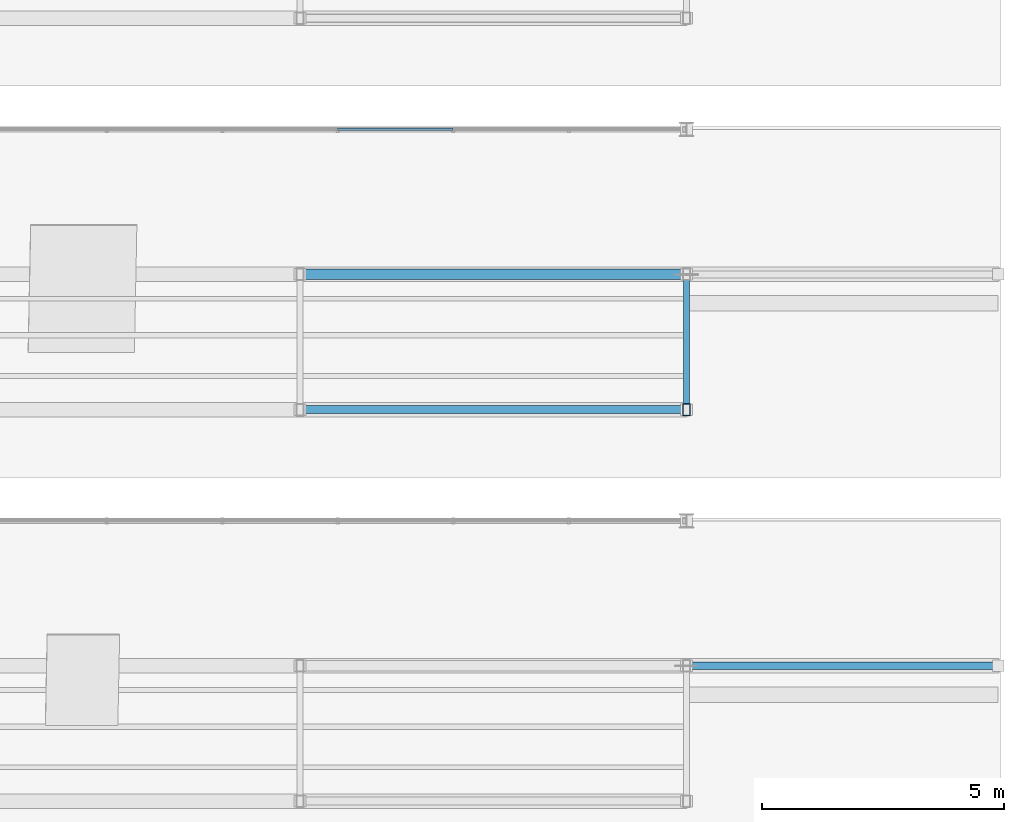
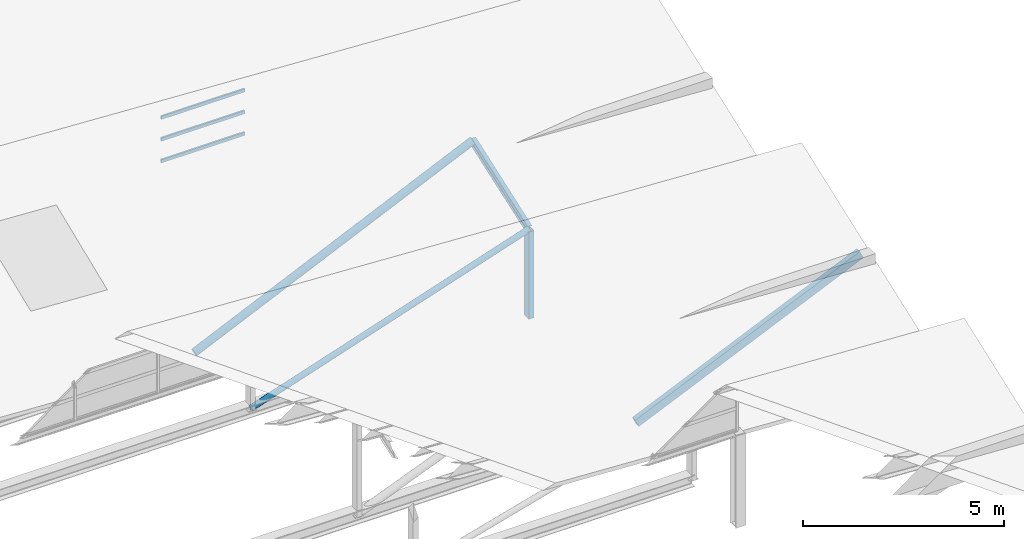
# One storey, part 69 of 141: 8 members, 1 element without a shape of its own.
"""IFC4 building model written with IfcOpenShell, lengths in metres."""

from ifc_helpers import new_model, si_unit, direction, frame, origin, origin_2d, place, context, subcontext, project, spatial, hollow_rectangle, hollow_circle, i_section, extrude, material, material_profile, profile_set, type_object, element, aggregate, save


model = new_model("IFC4")

# Units and contexts
model_context = context("Model", 3, precision=1e-05, world=origin(), true_north=direction((0.0, 1.0)))
body_context = subcontext(model_context, "Body", "Model", "MODEL_VIEW")
ifc_project = project(units=[si_unit("LENGTHUNIT", "METRE"), si_unit("AREAUNIT", "SQUARE_METRE"), si_unit("VOLUMEUNIT", "CUBIC_METRE"), si_unit("PLANEANGLEUNIT", "RADIAN"), si_unit("MASSUNIT", "GRAM", prefix="KILO")], contexts=[model_context])

# Site, building, storey
site_placement = place(None, origin())
site = spatial("IfcSite", under=ifc_project, at=site_placement, CompositionType="ELEMENT")
building_placement = place(site_placement, origin())
building = spatial("IfcBuilding", under=site, at=building_placement, Name="Sundkrona Museum", CompositionType="ELEMENT")
storey_placement = place(building_placement, frame((0.0, 0.0, 34.0)))
storey = spatial("IfcBuildingStorey", under=building, at=storey_placement, Name="RF", CompositionType="ELEMENT", Elevation=34.0)

# Members
ifc_material_1 = material(Name="Steel S355J2", Category="steel")
ifc_material_profile_1 = material_profile(ifc_material_1, i_section(OverallWidth=0.1201171875, OverallDepth=0.239990234375, WebThickness=0.006103515625, FlangeThickness=0.009765625, FilletRadius=0.014892578125, at=origin_2d()), Name="IPE 240")
ifc_profile_set_1 = profile_set([ifc_material_profile_1], Name="Steel S355J2")
member_type_1 = type_object("IfcMemberType", Name="PR-IPE240", PredefinedType="PURLIN", material=ifc_profile_set_1)
member_1_placement = place(storey_placement, frame((168.0, 20.699951171875, 2.39697265625), z_axis=(0.0, 0.942754878846, 0.333486489099), x_axis=(-1.0, 0.0, 0.0)))
element("IfcMember", 1, at=member_1_placement, inside=storey, type_object=member_type_1, Name="RFS-1 Sawtooth Bay 4 Transverse Rafter 7", PredefinedType="PURLIN", context=body_context, shape_type="SweptSolid", body=[
    extrude(i_section(OverallWidth=0.1201171875, OverallDepth=0.239990234375, WebThickness=0.006103515625, FlangeThickness=0.009765625, FilletRadius=0.014892578125, at=origin_2d()), origin(), (0.0, 0.0, 1.0), 2.969970703125),
])
ifc_material_profile_2 = material_profile(ifc_material_1, hollow_circle(Radius=0.084228515625, WallThickness=0.008056640625, at=origin_2d()), Name="CHS 168.3x8.0")
ifc_profile_set_2 = profile_set([ifc_material_profile_2], Name="Steel S355J2")
member_type_2 = type_object("IfcMemberType", Name="ST-CHS168", PredefinedType="STRUT", material=ifc_profile_set_2)
member_2_placement = place(storey_placement, frame((160.0, 20.699951171875, -0.25), z_axis=(0.949382108971, 0.0, 0.314123560347), x_axis=(0.0, 1.0, 0.0)))
element("IfcMember", 2, at=member_2_placement, inside=storey, type_object=member_type_2, Name="RFS-1 Sawtooth Valley Truss 4 Web Strut 6", PredefinedType="STRUT", context=body_context, shape_type="SweptSolid", body=[
    extrude(hollow_circle(Radius=0.084228515625, WallThickness=0.008056640625, at=origin_2d()), origin(), (0.0, 0.0, 1.0), 8.426513671875),
])
ifc_material_profile_3 = material_profile(ifc_material_1, hollow_circle(Radius=0.109619140625, WallThickness=0.010009765625, at=origin_2d()), Name="CHS 219.1x10.0")
ifc_profile_set_3 = profile_set([ifc_material_profile_3], Name="Steel S355J2")
member_type_3 = type_object("IfcMemberType", Name="ST-CHS219", PredefinedType="STRUT", material=ifc_profile_set_3)
member_3_placement = place(storey_placement, frame((160.0, 23.5, -0.25), z_axis=(0.910319853291, 0.0, 0.413905502142), x_axis=(0.0, 1.0, 0.0)))
element("IfcMember", 3, at=member_3_placement, inside=storey, type_object=member_type_3, Name="RFS-1 Sawtooth Truss 4 Web Strut 6", PredefinedType="STRUT", context=body_context, shape_type="SweptSolid", body=[
    extrude(hollow_circle(Radius=0.109619140625, WallThickness=0.010009765625, at=origin_2d()), origin(), (0.0, 0.0, 1.0), 8.7880859375),
])
ifc_material_profile_4 = material_profile(ifc_material_1, hollow_rectangle(XDim=0.14990234375, YDim=0.25, WallThickness=0.010009765625, at=origin_2d()), Name="RHS 250x150x10.0")
ifc_profile_set_4 = profile_set([ifc_material_profile_4], Name="Steel S355J2")
member_type_4 = type_object("IfcMemberType", Name="ST-RHS250", PredefinedType="STRUT", material=ifc_profile_set_4)
member_4_placement = place(storey_placement, frame((168.0, 15.39990234375, -0.25), z_axis=(0.913718820957, 0.0, 0.406347039154), x_axis=(0.0, 1.0, 0.0)))
element("IfcMember", 4, at=member_4_placement, inside=storey, type_object=member_type_4, Name="RFS-1 Sawtooth Truss 3 East Knee Strut", PredefinedType="STRUT", context=body_context, shape_type="SweptSolid", body=[
    extrude(hollow_rectangle(XDim=0.14990234375, YDim=0.25, WallThickness=0.010009765625, at=origin_2d()), origin(), (0.0, 0.0, 1.0), 7.05908203125),
])
member_5_placement = place(storey_placement, frame((168.0, 20.699951171875, -0.25), z_axis=(0.0, 0.0, 1.0), x_axis=(1.0, 0.0, 0.0)))
element("IfcMember", 5, at=member_5_placement, inside=storey, type_object=member_type_4, Name="RFS-1 Sawtooth Bay 4 Valley Post 7", PredefinedType="STRUT", context=body_context, shape_type="SweptSolid", body=[
    extrude(hollow_rectangle(XDim=0.14990234375, YDim=0.25, WallThickness=0.010009765625, at=origin_2d()), origin(), (0.0, 0.0, 1.0), 2.64697265625),
])

# Curtain wall, members
ifc_material_2 = material(Name="Unitised Aluminium-Steel and Ceramic-Clad Curtain Walling", Category="steel")
curtain_wall_type = type_object("IfcCurtainWallType", Name="CW-SW-240x13", PredefinedType="NOTDEFINED", material=ifc_material_2)
curtain_wall_placement = place(storey_placement, origin())
curtain_wall = element("IfcCurtainWall", 6, at=curtain_wall_placement, inside=storey, type_object=curtain_wall_type, Name="Sawtooth Bay 4 East North-Light Clerestory", PredefinedType="NOTDEFINED")
ifc_material_3 = material(Name="Aluminium EN AW-6060 T66", Category="aluminium")
ifc_material_profile_5 = material_profile(ifc_material_3, hollow_rectangle(XDim=0.050048828125, YDim=0.10009765625, WallThickness=0.0048828125, at=origin_2d()), Name="RHS 100x50x5.0")
ifc_profile_set_5 = profile_set([ifc_material_profile_5], Name="Aluminium EN AW-6060 T66")
member_type_5 = type_object("IfcMemberType", Name="TR-100", PredefinedType="USERDEFINED", material=ifc_profile_set_5)
member_6_placement = place(storey_placement, frame((160.780029296875, 26.5, 3.472900390625), z_axis=(1.0, 0.0, 0.0), x_axis=(0.0, 1.0, 0.0)))
member_6 = element("IfcMember", 7, at=member_6_placement, type_object=member_type_5, Name="CW-RF-SAW-04E Transom 22", ObjectType="TRANSOM", PredefinedType="USERDEFINED", context=body_context, shape_type="SweptSolid", body=[
    extrude(hollow_rectangle(XDim=0.050048828125, YDim=0.10009765625, WallThickness=0.0048828125, at=origin_2d()), origin(), (0.0, 0.0, 1.0), 2.389892578125),
])
member_7_placement = place(storey_placement, frame((160.780029296875, 26.5, 4.133056640625), z_axis=(1.0, 0.0, 0.0), x_axis=(0.0, 1.0, 0.0)))
member_7 = element("IfcMember", 8, at=member_7_placement, type_object=member_type_5, Name="CW-RF-SAW-04E Transom 23", ObjectType="TRANSOM", PredefinedType="USERDEFINED", context=body_context, shape_type="SweptSolid", body=[
    extrude(hollow_rectangle(XDim=0.050048828125, YDim=0.10009765625, WallThickness=0.0048828125, at=origin_2d()), origin(), (0.0, 0.0, 1.0), 2.389892578125),
])
member_8_placement = place(storey_placement, frame((160.780029296875, 26.5, 4.79296875), z_axis=(1.0, 0.0, 0.0), x_axis=(0.0, 1.0, 0.0)))
member_8 = element("IfcMember", 9, at=member_8_placement, type_object=member_type_5, Name="CW-RF-SAW-04E Transom 24", ObjectType="TRANSOM", PredefinedType="USERDEFINED", context=body_context, shape_type="SweptSolid", body=[
    extrude(hollow_rectangle(XDim=0.050048828125, YDim=0.10009765625, WallThickness=0.0048828125, at=origin_2d()), origin(), (0.0, 0.0, 1.0), 2.389892578125),
])
aggregate(curtain_wall, [member_6, member_7, member_8])

save(model, "model.ifc")
